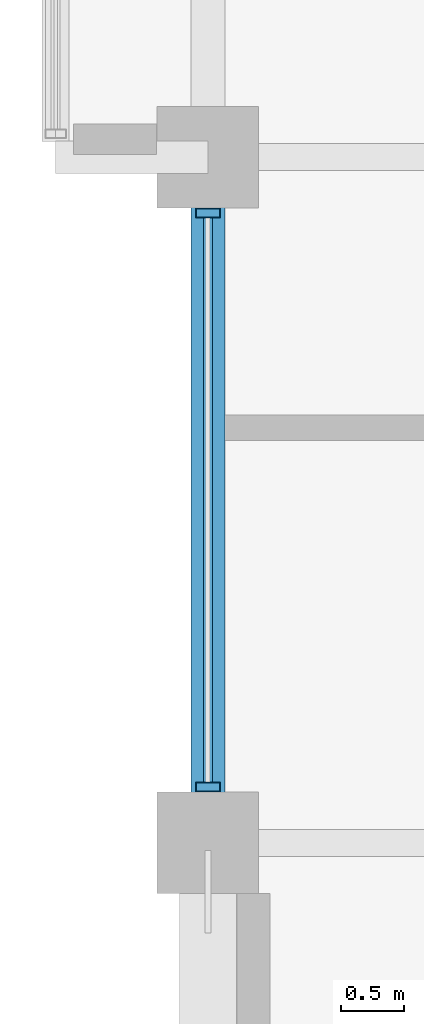
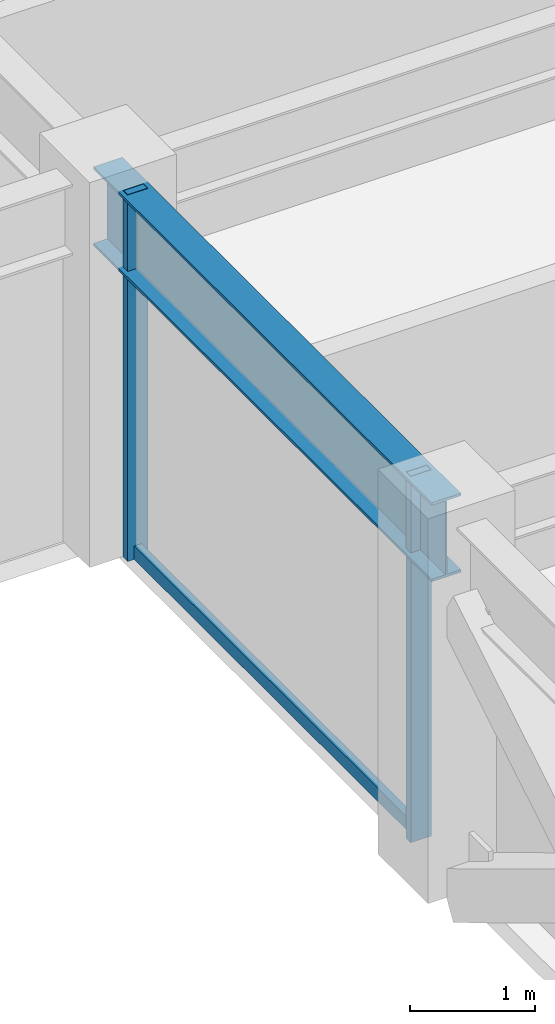
# One storey, part 4 of 32: 3 members, 1 beam, 1 element without a shape of its own.
"""IFC4 building model written with IfcOpenShell, lengths in metres."""

from ifc_helpers import new_model, si_unit, direction, frame, origin, origin_2d, place, context, subcontext, project, spatial, hollow_rectangle, i_section, extrude, material, layer, layer_set, material_profile, profile_set, type_object, element, aggregate, save


model = new_model("IFC4")

# Units and contexts
model_context = context("Model", 3, precision=1e-05, world=origin(), true_north=direction((0.0, 1.0)))
body_context = subcontext(model_context, "Body", "Model", "MODEL_VIEW")
ifc_project = project(units=[si_unit("LENGTHUNIT", "METRE"), si_unit("AREAUNIT", "SQUARE_METRE"), si_unit("VOLUMEUNIT", "CUBIC_METRE"), si_unit("PLANEANGLEUNIT", "RADIAN"), si_unit("MASSUNIT", "GRAM", prefix="KILO")], contexts=[model_context])

# Site, building, storey
site_placement = place(None, origin())
site = spatial("IfcSite", under=ifc_project, at=site_placement, CompositionType="ELEMENT")
building_placement = place(site_placement, origin())
building = spatial("IfcBuilding", under=site, at=building_placement, Name="Surkhivell Harbour Commons", CompositionType="ELEMENT")
storey_placement = place(building_placement, frame((0.0, 0.0, 234.75)))
storey = spatial("IfcBuildingStorey", under=building, at=storey_placement, Name="L61", CompositionType="ELEMENT", Elevation=234.75)

# Beam
ifc_material_1 = material(Name="Steel S355", Category="steel")
ifc_material_profile_1 = material_profile(ifc_material_1, i_section(OverallWidth=0.26806640625, OverallDepth=0.77001953125, WebThickness=0.015625, FlangeThickness=0.025390625, at=origin_2d()), Name="UB762x267x197")
ifc_profile_set_1 = profile_set([ifc_material_profile_1], Name="Steel S355")
beam_type = type_object("IfcBeamType", Name="BM-SPN-762", PredefinedType="SPANDREL", material=ifc_profile_set_1)
beam_placement = place(storey_placement, frame((-27.0, -10.800048828125, 3.18505859375), z_axis=(0.0, 1.0, 0.0), x_axis=(-1.0, 0.0, 0.0)))
element("IfcBeam", 1, at=beam_placement, inside=storey, type_object=beam_type, Name="L61 Tube Spandrel (-27.0,-10.8)", PredefinedType="SPANDREL", context=body_context, shape_type="SweptSolid", body=[
    extrude(i_section(OverallWidth=0.26806640625, OverallDepth=0.77001953125, WebThickness=0.015625, FlangeThickness=0.025390625, at=origin_2d()), origin(), (0.0, 0.0, 1.0), 5.400146484375),
])

# Curtain wall, members
ifc_material_2 = material(Name="Anodised pale-metal aluminium and insulated glazing", Category="aluminium")
ifc_layer = layer(ifc_material_2, 0.18994140625)
ifc_layer_set = layer_set([ifc_layer], Name="Anodised pale-metal aluminium and insulated glazing")
curtain_wall_type = type_object("IfcCurtainWallType", Name="CW-SYS-Z3", PredefinedType="NOTDEFINED", material=ifc_layer_set)
curtain_wall_placement = place(storey_placement, origin())
curtain_wall = element("IfcCurtainWall", 2, at=curtain_wall_placement, inside=storey, type_object=curtain_wall_type, Name="L61 Curtain Wall CW-L61-E12R1S1", PredefinedType="NOTDEFINED")
ifc_material_3 = material(Name="Anodised pale-metal aluminium alloy 6063-T6", Category="aluminium")
ifc_material_profile_2 = material_profile(ifc_material_3, hollow_rectangle(XDim=0.074951171875, YDim=0.18994140625, WallThickness=0.00390625, at=origin_2d()), Name="ALU-MULL-75x190")
ifc_profile_set_2 = profile_set([ifc_material_profile_2], Name="Anodised pale-metal aluminium alloy 6063-T6")
member_type_1 = type_object("IfcMemberType", Name="CWM-190", PredefinedType="MULLION", material=ifc_profile_set_2)
member_1_placement = place(storey_placement, frame((-27.0, -10.360595703125, 0.0), z_axis=(0.0, 0.0, 1.0), x_axis=(0.0, 1.0, 0.0)))
member_1 = element("IfcMember", 3, at=member_1_placement, type_object=member_type_1, Name="CW-Z3 mullion 1", PredefinedType="MULLION", context=body_context, shape_type="SweptSolid", body=[
    extrude(hollow_rectangle(XDim=0.074951171875, YDim=0.18994140625, WallThickness=0.00390625, at=origin_2d()), origin(), (0.0, 0.0, 1.0), 3.570068359375),
])
member_2_placement = place(storey_placement, frame((-27.0, -5.839599609375, 0.0), z_axis=(0.0, 0.0, 1.0), x_axis=(0.0, 1.0, 0.0)))
member_2 = element("IfcMember", 4, at=member_2_placement, type_object=member_type_1, Name="CW-Z3 mullion 2", PredefinedType="MULLION", context=body_context, shape_type="SweptSolid", body=[
    extrude(hollow_rectangle(XDim=0.074951171875, YDim=0.18994140625, WallThickness=0.00390625, at=origin_2d()), origin(), (0.0, 0.0, 1.0), 3.570068359375),
])
ifc_material_4 = material(Name="Champagne anodised aluminium alloy 6063-T6", Category="aluminium")
ifc_material_profile_3 = material_profile(ifc_material_4, hollow_rectangle(XDim=0.070068359375, YDim=0.1298828125, WallThickness=0.00341796875, at=origin_2d()), Name="ALU-TRAN-70x130")
ifc_profile_set_3 = profile_set([ifc_material_profile_3], Name="Champagne anodised aluminium alloy 6063-T6")
member_type_2 = type_object("IfcMemberType", Name="CWT-130", PredefinedType="USERDEFINED", material=ifc_profile_set_3)
member_3_placement = place(storey_placement, frame((-27.0, -10.322998046875, 0.06494140625), z_axis=(0.0, 1.0, 0.0), x_axis=(-1.0, 0.0, 0.0)))
member_3 = element("IfcMember", 5, at=member_3_placement, type_object=member_type_2, Name="CW-Z3 transom 1.1", ObjectType="TRANSOM", PredefinedType="USERDEFINED", context=body_context, shape_type="SweptSolid", body=[
    extrude(hollow_rectangle(XDim=0.070068359375, YDim=0.1298828125, WallThickness=0.00341796875, at=origin_2d()), origin(), (0.0, 0.0, 1.0), 4.446044921875),
])
aggregate(curtain_wall, [member_1, member_2, member_3])

save(model, "model.ifc")
